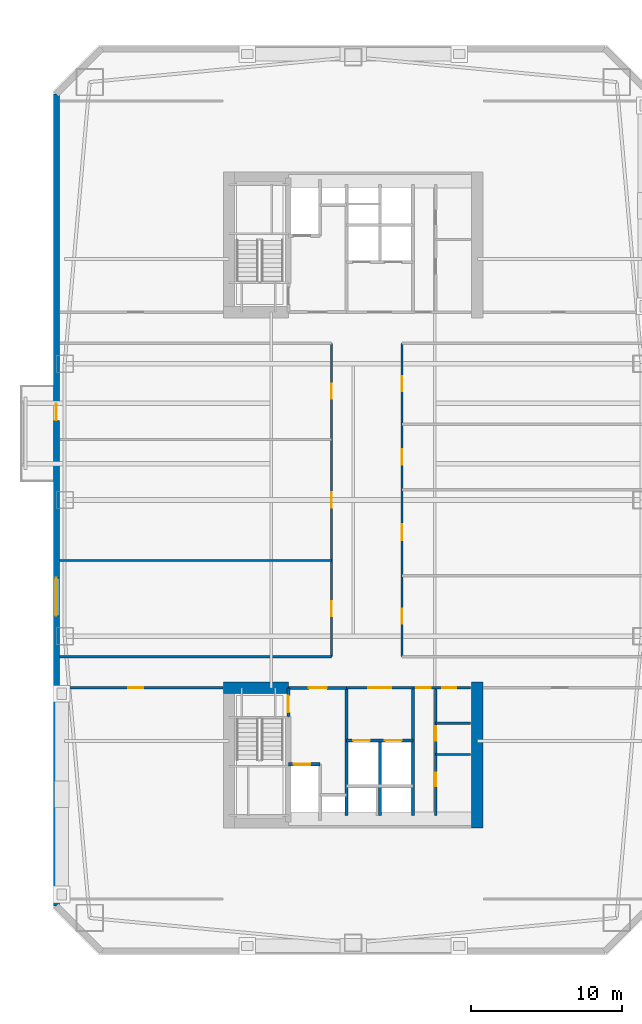
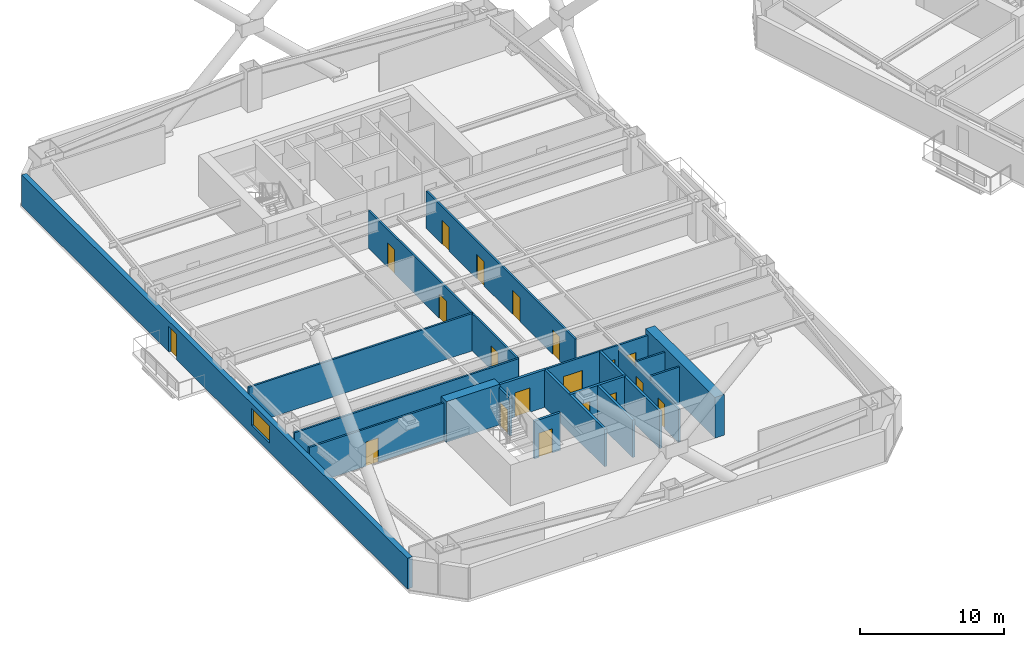
# One storey, part 4 of 15: 20 walls, 19 doors, 1 window, 20 openings.
"""IFC4 building model written with IfcOpenShell, lengths in metres."""

from ifc_helpers import new_model, si_unit, direction, frame, frame_2d, origin, place, context, subcontext, project, spatial, rectangle, extrude, material, layer, layer_set, type_object, element, fill, save


model = new_model("IFC4")

# Units and contexts
model_context = context("Model", 3, precision=1e-05, world=origin(), true_north=direction((0.0, 1.0)))
body_context = subcontext(model_context, "Body", "Model", "MODEL_VIEW")
ifc_project = project(units=[si_unit("LENGTHUNIT", "METRE"), si_unit("AREAUNIT", "SQUARE_METRE"), si_unit("VOLUMEUNIT", "CUBIC_METRE"), si_unit("PLANEANGLEUNIT", "RADIAN"), si_unit("MASSUNIT", "GRAM", prefix="KILO")], contexts=[model_context])

# Site, building, storey
site_placement = place(None, origin())
site = spatial("IfcSite", under=ifc_project, at=site_placement, CompositionType="ELEMENT")
building_placement = place(site_placement, origin())
building = spatial("IfcBuilding", under=site, at=building_placement, Name="Qiaolan Cultural Towers", CompositionType="ELEMENT")
storey_placement = place(building_placement, frame((0.0, 0.0, 71.300048828125)))
storey = spatial("IfcBuildingStorey", under=building, at=storey_placement, Name="L17", CompositionType="ELEMENT", Elevation=71.300048828125)

# Walls
ifc_material_1 = material(Name="Concrete C60", Category="concrete")
ifc_layer_1 = layer(ifc_material_1, 0.75)
ifc_layer_set_1 = layer_set([ifc_layer_1], Name="Concrete C60")
wall_type_1 = type_object("IfcWallType", Name="WL-CORE-750", PredefinedType="SHEAR", material=ifc_layer_set_1)
wall_1_placement = place(storey_placement, frame((38.199951171875, 21.97509765625, 0.0), z_axis=(0.0, 0.0, 1.0), x_axis=(0.0, -1.0, 0.0)))
element("IfcWall", 1, at=wall_1_placement, inside=storey, type_object=wall_type_1, Name="L17 T1-CS East Core Shear Wall", PredefinedType="SHEAR", context=body_context, shape_type="SweptSolid", body=[
    extrude(rectangle(XDim=9.630126953125, YDim=0.75, at=frame_2d((4.81494140625, 0.0))), origin(), (0.0, 0.0, 1.0), 3.449951171875),
])
wall_2_placement = place(storey_placement, frame((21.425048828125, 21.60009765625, 0.0), z_axis=(0.0, 0.0, 1.0), x_axis=(1.0, 0.0, 0.0)))
element("IfcWall", 2, at=wall_2_placement, inside=storey, type_object=wall_type_1, Name="L17 T1-CS Stair Front Shear Wall", PredefinedType="SHEAR", context=body_context, shape_type="SweptSolid", body=[
    extrude(rectangle(XDim=4.294921875, YDim=0.75, at=frame_2d((2.1474609375, 0.0))), origin(), (0.0, 0.0, 1.0), 3.449951171875),
])

# Wall, openings, door, window
ifc_material_2 = material(Name="Precast Concrete C50 Honed Stone Pier", Category="masonry")
ifc_layer_2 = layer(ifc_material_2, 0.39990234375)
ifc_layer_set_2 = layer_set([ifc_layer_2], Name="Precast Concrete C50 Honed Stone Pier")
wall_type_2 = type_object("IfcWallType", Name="WL-EXT-PIER-400", PredefinedType="SOLIDWALL", material=ifc_layer_set_2)
wall_3_placement = place(storey_placement, frame((10.39990234375, 7.199951171875, 0.0), z_axis=(0.0, 0.0, 1.0), x_axis=(0.0, 1.0, 0.0)))
wall_3 = element("IfcWall", 3, at=wall_3_placement, inside=storey, type_object=wall_type_2, Name="L17 West Tower Precast Pier Facade Wall F1", PredefinedType="SOLIDWALL", context=body_context, shape_type="SweptSolid", body=[
    extrude(rectangle(XDim=53.60009765625, YDim=0.39990234375, at=frame_2d((26.800048828125, 0.0))), origin(), (0.0, 0.0, 1.0), 2.60986328125),
])
opening_1_placement = place(wall_3_placement, frame((19.14990234375, 0.0, 0.75)))
opening_1 = element("IfcOpeningElement", 4, at=opening_1_placement, cuts=wall_3, Name="Opening W-01", PredefinedType="OPENING", context=body_context, shape_type="SweptSolid", body=[
    extrude(rectangle(XDim=2.5, YDim=1.4599609375, at=frame_2d((1.25, 0.72998046875))), frame((0.0, 0.2099609375, 0.0), z_axis=(0.0, -1.0, 0.0), x_axis=(1.0, 0.0, 0.0)), (0.0, 0.0, 1.0), 0.419921875),
])
opening_2_placement = place(wall_3_placement, frame((32.050048828125, 0.0, 0.0)))
opening_2 = element("IfcOpeningElement", 5, at=opening_2_placement, cuts=wall_3, Name="Opening BD-01", PredefinedType="OPENING", context=body_context, shape_type="SweptSolid", body=[
    extrude(rectangle(XDim=1.10009765625, YDim=2.14990234375, at=frame_2d((0.550048828125, 1.074951171875))), frame((0.0, 0.2099609375, 0.0), z_axis=(0.0, -1.0, 0.0), x_axis=(1.0, 0.0, 0.0)), (0.0, 0.0, 1.0), 0.419921875),
])
ifc_material_3 = material(Name="Thermally Broken Aluminium Glazed Terrace Door", Category="aluminium")
door_type_1 = type_object("IfcDoorType", Name="DR-BAL-1100", OperationType="NOTDEFINED", PredefinedType="DOOR", material=ifc_material_3)
door_1_placement = place(opening_2_placement, origin())
door_1 = element("IfcDoor", 6, at=door_1_placement, inside=storey, type_object=door_type_1, Name="L17 T1 West Tree Balcony Door", OperationType="SINGLE_SWING_LEFT", OverallHeight=2.14990234375, OverallWidth=1.10009765625, PredefinedType="DOOR", context=body_context, shape_type="SweptSolid", body=[
    extrude(rectangle(XDim=1.10009765625, YDim=2.14990234375, at=frame_2d((0.550048828125, 1.074951171875))), frame((0.0, 0.02490234375, 0.0), z_axis=(0.0, -1.0, 0.0), x_axis=(1.0, 0.0, 0.0)), (0.0, 0.0, 1.0), 0.050048828125),
])
fill(opening_2, door_1)
ifc_material_4 = material(Name="Thermally Broken Aluminium Triple Low-E Glazing", Category="aluminium")
window_type = type_object("IfcWindowType", Name="WN-CHIC-2500", PartitioningType="SINGLE_PANEL", PredefinedType="WINDOW", material=ifc_material_4)
window_placement = place(opening_1_placement, origin())
window = element("IfcWindow", 7, at=window_placement, inside=storey, type_object=window_type, Name="L17 T1 W Chicago Bay Window 1", OverallHeight=1.4599609375, OverallWidth=2.5, PartitioningType="TRIPLE_PANEL_VERTICAL", PredefinedType="WINDOW", context=body_context, shape_type="SweptSolid", body=[
    extrude(rectangle(XDim=2.5, YDim=1.4599609375, at=frame_2d((1.25, 0.72998046875))), frame((0.0, 0.030029296875, 0.0), z_axis=(0.0, -1.0, 0.0), x_axis=(1.0, 0.0, 0.0)), (0.0, 0.0, 1.0), 0.06005859375),
])
fill(opening_1, window)

# Wall, opening, door
ifc_material_5 = material(Name="Concrete C35 Fire Wall", Category="concrete")
ifc_layer_3 = layer(ifc_material_5, 0.199951171875)
ifc_layer_set_3 = layer_set([ifc_layer_3], Name="Concrete C35 Fire Wall")
wall_type_3 = type_object("IfcWallType", Name="WL-FIRE-200", PredefinedType="PARTITIONING", material=ifc_layer_set_3)
wall_4_placement = place(storey_placement, frame((25.719970703125, 21.60009765625, 0.0), z_axis=(0.0, 0.0, 1.0), x_axis=(0.0, -1.0, 0.0)))
wall_4 = element("IfcWall", 8, at=wall_4_placement, inside=storey, type_object=wall_type_3, Name="L17 T1-CS Smokeproof Stair Entry Wall", PredefinedType="PARTITIONING", context=body_context, shape_type="SweptSolid", body=[
    extrude(rectangle(XDim=1.900146484375, YDim=0.199951171875, at=frame_2d((0.9501953125, 0.0))), origin(), (0.0, 0.0, 1.0), 3.175048828125),
])
opening_3_placement = place(wall_4_placement, frame((0.52001953125, 0.0, 0.0)))
opening_3 = element("IfcOpeningElement", 9, at=opening_3_placement, cuts=wall_4, Name="Opening FD-04", PredefinedType="OPENING", context=body_context, shape_type="SweptSolid", body=[
    extrude(rectangle(XDim=1.10009765625, YDim=2.050048828125, at=frame_2d((0.550048828125, 1.02490234375))), frame((0.0, 0.10986328125, 0.0), z_axis=(0.0, -1.0, 0.0), x_axis=(1.0, 0.0, 0.0)), (0.0, 0.0, 1.0), 0.219970703125),
])
ifc_material_6 = material(Name="Galvanized Steel Command Fire Door", Category="steel")
door_type_2 = type_object("IfcDoorType", Name="DR-FD90-1100", OperationType="NOTDEFINED", PredefinedType="DOOR", material=ifc_material_6)
door_2_placement = place(opening_3_placement, origin())
door_2 = element("IfcDoor", 10, at=door_2_placement, inside=storey, type_object=door_type_2, Name="L17 ST-W1 Smokeproof Stair Fire Door", OperationType="SINGLE_SWING_LEFT", OverallHeight=2.050048828125, OverallWidth=1.10009765625, PredefinedType="DOOR", context=body_context, shape_type="SweptSolid", body=[
    extrude(rectangle(XDim=1.10009765625, YDim=2.050048828125, at=frame_2d((0.550048828125, 1.02490234375))), frame((0.0, 0.02490234375, 0.0), z_axis=(0.0, -1.0, 0.0), x_axis=(1.0, 0.0, 0.0)), (0.0, 0.0, 1.0), 0.050048828125),
])
fill(opening_3, door_2)

# Wall
wall_5_placement = place(storey_placement, frame((29.550048828125, 21.60009765625, 0.0), z_axis=(0.0, 0.0, 1.0), x_axis=(0.0, -1.0, 0.0)))
element("IfcWall", 11, at=wall_5_placement, inside=storey, type_object=wall_type_3, Name="L17 T1-CS Firefighting Zone Wall", PredefinedType="PARTITIONING", context=body_context, shape_type="SweptSolid", body=[
    extrude(rectangle(XDim=8.43017578125, YDim=0.199951171875, at=frame_2d((4.215087890625, 0.0))), origin(), (0.0, 0.0, 1.0), 3.175048828125),
])

# Wall, opening, door
wall_6_placement = place(storey_placement, frame((25.719970703125, 21.60009765625, 0.0), z_axis=(0.0, 0.0, 1.0), x_axis=(1.0, 0.0, 0.0)))
wall_6 = element("IfcWall", 12, at=wall_6_placement, inside=storey, type_object=wall_type_3, Name="L17 T1-CS Firefighting Lobby Front Wall", PredefinedType="PARTITIONING", context=body_context, shape_type="SweptSolid", body=[
    extrude(rectangle(XDim=3.830078125, YDim=0.199951171875, at=frame_2d((1.9150390625, 0.0))), origin(), (0.0, 0.0, 1.0), 3.175048828125),
])
opening_4_placement = place(wall_6_placement, frame((1.35009765625, 0.0, 0.0)))
opening_4 = element("IfcOpeningElement", 13, at=opening_4_placement, cuts=wall_6, Name="Opening FD-03", PredefinedType="OPENING", context=body_context, shape_type="SweptSolid", body=[
    extrude(rectangle(XDim=1.199951171875, YDim=2.050048828125, at=frame_2d((0.60009765625, 1.02490234375))), frame((0.0, 0.10986328125, 0.0), z_axis=(0.0, -1.0, 0.0), x_axis=(1.0, 0.0, 0.0)), (0.0, 0.0, 1.0), 0.219970703125),
])
ifc_material_7 = material(Name="Galvanized Steel Smokeproof Lobby Fire Door", Category="steel")
door_type_3 = type_object("IfcDoorType", Name="DR-FD90-1200", OperationType="NOTDEFINED", PredefinedType="DOOR", material=ifc_material_7)
door_3_placement = place(opening_4_placement, origin())
door_3 = element("IfcDoor", 14, at=door_3_placement, inside=storey, type_object=door_type_3, Name="L17 FFL-W1 Firefighting Lobby Fire Door", OperationType="SINGLE_SWING_LEFT", OverallHeight=2.050048828125, OverallWidth=1.199951171875, PredefinedType="DOOR", context=body_context, shape_type="SweptSolid", body=[
    extrude(rectangle(XDim=1.199951171875, YDim=2.050048828125, at=frame_2d((0.60009765625, 1.02490234375))), frame((0.0, 0.02490234375, 0.0), z_axis=(0.0, -1.0, 0.0), x_axis=(1.0, 0.0, 0.0)), (0.0, 0.0, 1.0), 0.050048828125),
])
fill(opening_4, door_3)

wall_7_placement = place(storey_placement, frame((25.719970703125, 16.550048828125, 0.0), z_axis=(0.0, 0.0, 1.0), x_axis=(1.0, 0.0, 0.0)))
wall_7 = element("IfcWall", 15, at=wall_7_placement, inside=storey, type_object=wall_type_3, Name="L17 T1-CS Firefighting Shaft Front Wall", PredefinedType="PARTITIONING", context=body_context, shape_type="SweptSolid", body=[
    extrude(rectangle(XDim=2.10009765625, YDim=0.199951171875, at=frame_2d((1.050048828125, 0.0))), origin(), (0.0, 0.0, 1.0), 3.175048828125),
])
opening_5_placement = place(wall_7_placement, frame((0.35009765625, 0.0, 0.0)))
opening_5 = element("IfcOpeningElement", 16, at=opening_5_placement, cuts=wall_7, Name="Opening LD-01", PredefinedType="OPENING", context=body_context, shape_type="SweptSolid", body=[
    extrude(rectangle(XDim=1.10009765625, YDim=2.050048828125, at=frame_2d((0.550048828125, 1.02490234375))), frame((0.0, 0.10986328125, 0.0), z_axis=(0.0, -1.0, 0.0), x_axis=(1.0, 0.0, 0.0)), (0.0, 0.0, 1.0), 0.219970703125),
])
ifc_material_8 = material(Name="Brushed Stainless Steel S30408 Centre-Parting Lift Landing Door", Category="steel")
door_type_4 = type_object("IfcDoorType", Name="DR-LIFT-1100", OperationType="NOTDEFINED", PredefinedType="DOOR", material=ifc_material_8)
door_4_placement = place(opening_5_placement, origin())
door_4 = element("IfcDoor", 17, at=door_4_placement, inside=storey, type_object=door_type_4, Name="L17 FFL-W1 Firefighting Lift Landing Door", OperationType="DOUBLE_DOOR_SLIDING", OverallHeight=2.050048828125, OverallWidth=1.10009765625, PredefinedType="DOOR", context=body_context, shape_type="SweptSolid", body=[
    extrude(rectangle(XDim=1.10009765625, YDim=2.050048828125, at=frame_2d((0.550048828125, 1.02490234375))), frame((0.0, 0.02490234375, 0.0), z_axis=(0.0, -1.0, 0.0), x_axis=(1.0, 0.0, 0.0)), (0.0, 0.0, 1.0), 0.050048828125),
])
fill(opening_5, door_4)

# Wall
wall_8_placement = place(storey_placement, frame((33.949951171875, 21.60009765625, 0.0), z_axis=(0.0, 0.0, 1.0), x_axis=(0.0, -1.0, 0.0)))
element("IfcWall", 18, at=wall_8_placement, inside=storey, type_object=wall_type_3, Name="L17 T1-CS Lift Core East Wall", PredefinedType="PARTITIONING", context=body_context, shape_type="SweptSolid", body=[
    extrude(rectangle(XDim=8.43017578125, YDim=0.199951171875, at=frame_2d((4.215087890625, 0.0))), origin(), (0.0, 0.0, 1.0), 3.175048828125),
])

# Wall, openings, doors
wall_9_placement = place(storey_placement, frame((29.550048828125, 18.1201171875, 0.0), z_axis=(0.0, 0.0, 1.0), x_axis=(1.0, 0.0, 0.0)))
wall_9 = element("IfcWall", 19, at=wall_9_placement, inside=storey, type_object=wall_type_3, Name="L17 T1-CS Passenger Lift Shaft Front Wall", PredefinedType="PARTITIONING", context=body_context, shape_type="SweptSolid", body=[
    extrude(rectangle(XDim=4.39990234375, YDim=0.199951171875, at=frame_2d((2.199951171875, 0.0))), origin(), (0.0, 0.0, 1.0), 3.175048828125),
])
opening_6_placement = place(wall_9_placement, frame((0.449951171875, 0.0, 0.0)))
opening_6 = element("IfcOpeningElement", 20, at=opening_6_placement, cuts=wall_9, Name="Opening LD-01", PredefinedType="OPENING", context=body_context, shape_type="SweptSolid", body=[
    extrude(rectangle(XDim=1.10009765625, YDim=2.050048828125, at=frame_2d((0.550048828125, 1.02490234375))), frame((0.0, 0.10986328125, 0.0), z_axis=(0.0, -1.0, 0.0), x_axis=(1.0, 0.0, 0.0)), (0.0, 0.0, 1.0), 0.219970703125),
])
opening_7_placement = place(wall_9_placement, frame((2.550048828125, 0.0, 0.0)))
opening_7 = element("IfcOpeningElement", 21, at=opening_7_placement, cuts=wall_9, Name="Opening LD-01", PredefinedType="OPENING", context=body_context, shape_type="SweptSolid", body=[
    extrude(rectangle(XDim=1.10009765625, YDim=2.050048828125, at=frame_2d((0.550048828125, 1.02490234375))), frame((0.0, 0.10986328125, 0.0), z_axis=(0.0, -1.0, 0.0), x_axis=(1.0, 0.0, 0.0)), (0.0, 0.0, 1.0), 0.219970703125),
])
door_5_placement = place(opening_6_placement, origin())
door_5 = element("IfcDoor", 22, at=door_5_placement, inside=storey, type_object=door_type_4, Name="L17 Passenger Lift 1 Landing Door", OperationType="DOUBLE_DOOR_SLIDING", OverallHeight=2.050048828125, OverallWidth=1.10009765625, PredefinedType="DOOR", context=body_context, shape_type="SweptSolid", body=[
    extrude(rectangle(XDim=1.10009765625, YDim=2.050048828125, at=frame_2d((0.550048828125, 1.02490234375))), frame((0.0, 0.02490234375, 0.0), z_axis=(0.0, -1.0, 0.0), x_axis=(1.0, 0.0, 0.0)), (0.0, 0.0, 1.0), 0.050048828125),
])
fill(opening_6, door_5)
door_6_placement = place(opening_7_placement, origin())
door_6 = element("IfcDoor", 23, at=door_6_placement, inside=storey, type_object=door_type_4, Name="L17 Passenger Lift 2 Landing Door", OperationType="DOUBLE_DOOR_SLIDING", OverallHeight=2.050048828125, OverallWidth=1.10009765625, PredefinedType="DOOR", context=body_context, shape_type="SweptSolid", body=[
    extrude(rectangle(XDim=1.10009765625, YDim=2.050048828125, at=frame_2d((0.550048828125, 1.02490234375))), frame((0.0, 0.02490234375, 0.0), z_axis=(0.0, -1.0, 0.0), x_axis=(1.0, 0.0, 0.0)), (0.0, 0.0, 1.0), 0.050048828125),
])
fill(opening_7, door_6)

# Wall
wall_10_placement = place(storey_placement, frame((31.780029296875, 18.1201171875, 0.0), z_axis=(0.0, 0.0, 1.0), x_axis=(0.0, -1.0, 0.0)))
element("IfcWall", 24, at=wall_10_placement, inside=storey, type_object=wall_type_3, Name="L17 T1-CS Lift Shaft Divider Wall", PredefinedType="PARTITIONING", context=body_context, shape_type="SweptSolid", body=[
    extrude(rectangle(XDim=4.9501953125, YDim=0.199951171875, at=frame_2d((2.47509765625, 0.0))), origin(), (0.0, 0.0, 1.0), 3.175048828125),
])

# Wall, opening, door
ifc_material_9 = material(Name="Autoclaved Aerated Concrete Block B06", Category="concrete")
ifc_layer_4 = layer(ifc_material_9, 0.14990234375)
ifc_layer_set_4 = layer_set([ifc_layer_4], Name="Autoclaved Aerated Concrete Block B06")
wall_type_4 = type_object("IfcWallType", Name="WL-PART-150", PredefinedType="PARTITIONING", material=ifc_layer_set_4)
wall_11_placement = place(storey_placement, frame((29.550048828125, 21.60009765625, 0.0), z_axis=(0.0, 0.0, 1.0), x_axis=(1.0, 0.0, 0.0)))
wall_11 = element("IfcWall", 25, at=wall_11_placement, inside=storey, type_object=wall_type_4, Name="L17 T1-CS Passenger Lift Lobby Front Wall", PredefinedType="PARTITIONING", context=body_context, shape_type="SweptSolid", body=[
    extrude(rectangle(XDim=4.39990234375, YDim=0.14990234375, at=frame_2d((2.199951171875, 0.0))), origin(), (0.0, 0.0, 1.0), 3.175048828125),
])
opening_8_placement = place(wall_11_placement, frame((1.449951171875, 0.0, 0.0)))
opening_8 = element("IfcOpeningElement", 26, at=opening_8_placement, cuts=wall_11, Name="Opening FD-05", PredefinedType="OPENING", context=body_context, shape_type="SweptSolid", body=[
    extrude(rectangle(XDim=1.5, YDim=2.050048828125, at=frame_2d((0.75, 1.02490234375))), frame((0.0, 0.0849609375, 0.0), z_axis=(0.0, -1.0, 0.0), x_axis=(1.0, 0.0, 0.0)), (0.0, 0.0, 1.0), 0.169921875),
])
ifc_material_10 = material(Name="Painted Steel Lift Lobby Fire Door", Category="steel")
door_type_5 = type_object("IfcDoorType", Name="DR-FD60-1500", OperationType="NOTDEFINED", PredefinedType="DOOR", material=ifc_material_10)
door_7_placement = place(opening_8_placement, origin())
door_7 = element("IfcDoor", 27, at=door_7_placement, inside=storey, type_object=door_type_5, Name="L17 Passenger Lift Lobby Entrance", OperationType="SINGLE_SWING_LEFT", OverallHeight=2.050048828125, OverallWidth=1.5, PredefinedType="DOOR", context=body_context, shape_type="SweptSolid", body=[
    extrude(rectangle(XDim=1.5, YDim=2.050048828125, at=frame_2d((0.75, 1.02490234375))), frame((0.0, 0.02490234375, 0.0), z_axis=(0.0, -1.0, 0.0), x_axis=(1.0, 0.0, 0.0)), (0.0, 0.0, 1.0), 0.050048828125),
])
fill(opening_8, door_7)

# Wall, openings, doors
wall_12_placement = place(storey_placement, frame((33.949951171875, 21.60009765625, 0.0), z_axis=(0.0, 0.0, 1.0), x_axis=(1.0, 0.0, 0.0)))
wall_12 = element("IfcWall", 28, at=wall_12_placement, inside=storey, type_object=wall_type_4, Name="L17 T1-CS Sanitary Core Front Wall", PredefinedType="PARTITIONING", context=body_context, shape_type="SweptSolid", body=[
    extrude(rectangle(XDim=3.800048828125, YDim=0.14990234375, at=frame_2d((1.89990234375, 0.0))), origin(), (0.0, 0.0, 1.0), 3.175048828125),
])
opening_9_placement = place(wall_12_placement, frame((0.219970703125, 0.0, 0.0)))
opening_9 = element("IfcOpeningElement", 29, at=opening_9_placement, cuts=wall_12, Name="Opening ID-05", PredefinedType="OPENING", context=body_context, shape_type="SweptSolid", body=[
    extrude(rectangle(XDim=0.949951171875, YDim=2.050048828125, at=frame_2d((0.47509765625, 1.02490234375))), frame((0.0, 0.0849609375, 0.0), z_axis=(0.0, -1.0, 0.0), x_axis=(1.0, 0.0, 0.0)), (0.0, 0.0, 1.0), 0.169921875),
])
opening_10_placement = place(wall_12_placement, frame((1.949951171875, 0.0, 0.0)))
opening_10 = element("IfcOpeningElement", 30, at=opening_10_placement, cuts=wall_12, Name="Opening ID-06", PredefinedType="OPENING", context=body_context, shape_type="SweptSolid", body=[
    extrude(rectangle(XDim=0.89990234375, YDim=2.050048828125, at=frame_2d((0.449951171875, 1.02490234375))), frame((0.0, 0.0849609375, 0.0), z_axis=(0.0, -1.0, 0.0), x_axis=(1.0, 0.0, 0.0)), (0.0, 0.0, 1.0), 0.169921875),
])
ifc_material_11 = material(Name="Fire-Rated Laminate Core Service Door", Category="timber")
door_type_6 = type_object("IfcDoorType", Name="DR-INT-900", OperationType="NOTDEFINED", PredefinedType="DOOR", material=ifc_material_11)
door_8_placement = place(opening_10_placement, origin())
door_8 = element("IfcDoor", 31, at=door_8_placement, inside=storey, type_object=door_type_6, Name="L17 Core Tea Pantry Door", OperationType="SINGLE_SWING_RIGHT", OverallHeight=2.050048828125, OverallWidth=0.89990234375, PredefinedType="DOOR", context=body_context, shape_type="SweptSolid", body=[
    extrude(rectangle(XDim=0.89990234375, YDim=2.050048828125, at=frame_2d((0.449951171875, 1.02490234375))), frame((0.0, 0.02490234375, 0.0), z_axis=(0.0, -1.0, 0.0), x_axis=(1.0, 0.0, 0.0)), (0.0, 0.0, 1.0), 0.050048828125),
])
fill(opening_10, door_8)
ifc_material_12 = material(Name="Fire-Rated Laminate Accessible Core Door", Category="timber")
door_type_7 = type_object("IfcDoorType", Name="DR-INT-950", OperationType="NOTDEFINED", PredefinedType="DOOR", material=ifc_material_12)
door_9_placement = place(opening_9_placement, origin())
door_9 = element("IfcDoor", 32, at=door_9_placement, inside=storey, type_object=door_type_7, Name="L17 Sanitary Passage Door", OperationType="SINGLE_SWING_LEFT", OverallHeight=2.050048828125, OverallWidth=0.949951171875, PredefinedType="DOOR", context=body_context, shape_type="SweptSolid", body=[
    extrude(rectangle(XDim=0.949951171875, YDim=2.050048828125, at=frame_2d((0.47509765625, 1.02490234375))), frame((0.0, 0.02490234375, 0.0), z_axis=(0.0, -1.0, 0.0), x_axis=(1.0, 0.0, 0.0)), (0.0, 0.0, 1.0), 0.050048828125),
])
fill(opening_9, door_9)

wall_13_placement = place(storey_placement, frame((35.449951171875, 21.60009765625, 0.0), z_axis=(0.0, 0.0, 1.0), x_axis=(0.0, -1.0, 0.0)))
wall_13 = element("IfcWall", 33, at=wall_13_placement, inside=storey, type_object=wall_type_4, Name="L17 T1-CS Sanitary Corridor Wall", PredefinedType="PARTITIONING", context=body_context, shape_type="SweptSolid", body=[
    extrude(rectangle(XDim=8.43017578125, YDim=0.14990234375, at=frame_2d((4.215087890625, 0.0))), origin(), (0.0, 0.0, 1.0), 2.81494140625),
])
opening_11_placement = place(wall_13_placement, frame((2.550048828125, 0.0, 0.0)))
opening_11 = element("IfcOpeningElement", 34, at=opening_11_placement, cuts=wall_13, Name="Opening ID-05", PredefinedType="OPENING", context=body_context, shape_type="SweptSolid", body=[
    extrude(rectangle(XDim=0.949951171875, YDim=2.050048828125, at=frame_2d((0.47509765625, 1.02490234375))), frame((0.0, 0.0849609375, 0.0), z_axis=(0.0, -1.0, 0.0), x_axis=(1.0, 0.0, 0.0)), (0.0, 0.0, 1.0), 0.169921875),
])
opening_12_placement = place(wall_13_placement, frame((5.60009765625, 0.0, 0.0)))
opening_12 = element("IfcOpeningElement", 35, at=opening_12_placement, cuts=wall_13, Name="Opening ID-06", PredefinedType="OPENING", context=body_context, shape_type="SweptSolid", body=[
    extrude(rectangle(XDim=0.89990234375, YDim=2.050048828125, at=frame_2d((0.449951171875, 1.02490234375))), frame((0.0, 0.0849609375, 0.0), z_axis=(0.0, -1.0, 0.0), x_axis=(1.0, 0.0, 0.0)), (0.0, 0.0, 1.0), 0.169921875),
])
door_10_placement = place(opening_12_placement, origin())
door_10 = element("IfcDoor", 36, at=door_10_placement, inside=storey, type_object=door_type_6, Name="L17 Staff Restroom Door", OperationType="SINGLE_SWING_RIGHT", OverallHeight=2.050048828125, OverallWidth=0.89990234375, PredefinedType="DOOR", context=body_context, shape_type="SweptSolid", body=[
    extrude(rectangle(XDim=0.89990234375, YDim=2.050048828125, at=frame_2d((0.449951171875, 1.02490234375))), frame((0.0, 0.02490234375, 0.0), z_axis=(0.0, -1.0, 0.0), x_axis=(1.0, 0.0, 0.0)), (0.0, 0.0, 1.0), 0.050048828125),
])
fill(opening_12, door_10)
door_11_placement = place(opening_11_placement, origin())
door_11 = element("IfcDoor", 37, at=door_11_placement, inside=storey, type_object=door_type_7, Name="L17 Accessible Washroom Door", OperationType="SINGLE_SWING_LEFT", OverallHeight=2.050048828125, OverallWidth=0.949951171875, PredefinedType="DOOR", context=body_context, shape_type="SweptSolid", body=[
    extrude(rectangle(XDim=0.949951171875, YDim=2.050048828125, at=frame_2d((0.47509765625, 1.02490234375))), frame((0.0, 0.02490234375, 0.0), z_axis=(0.0, -1.0, 0.0), x_axis=(1.0, 0.0, 0.0)), (0.0, 0.0, 1.0), 0.050048828125),
])
fill(opening_11, door_11)

# Walls
for number, where, z_axis, x_axis, name in (
    (38, (35.449951171875, 17.199951171875, 0.0), (0.0, 0.0, 1.0), (1.0, 0.0, 0.0), "L17 T1-CS Restroom Split Wall"),
    (39, (35.449951171875, 19.25, 0.0), (0.0, 0.0, 1.0), (1.0, 0.0, 0.0), "L17 T1-CS Core Pantry Wall"),
):
    element("IfcWall", number, at=place(storey_placement, frame(where, z_axis=z_axis, x_axis=x_axis)), inside=storey, type_object=wall_type_4, Name=name, PredefinedType="PARTITIONING", context=body_context, shape_type="SweptSolid", body=[
        extrude(rectangle(XDim=2.300048828125, YDim=0.14990234375, at=frame_2d((1.14990234375, 0.0))), origin(), (0.0, 0.0, 1.0), 3.175048828125),
    ])

# Wall, opening, door
wall_14_placement = place(storey_placement, frame((10.60009765625, 21.60009765625, 0.0), z_axis=(0.0, 0.0, 1.0), x_axis=(1.0, 0.0, 0.0)))
wall_14 = element("IfcWall", 40, at=wall_14_placement, inside=storey, type_object=wall_type_4, Name="L17 T1 Flank Front FLK-SW", PredefinedType="PARTITIONING", context=body_context, shape_type="SweptSolid", body=[
    extrude(rectangle(XDim=10.7998046875, YDim=0.14990234375, at=frame_2d((5.39990234375, 0.0))), origin(), (0.0, 0.0, 1.0), 3.175048828125),
])
opening_13_placement = place(wall_14_placement, frame((4.535888671875, 0.0, 0.0)))
opening_13 = element("IfcOpeningElement", 41, at=opening_13_placement, cuts=wall_14, Name="Opening ID-04", PredefinedType="OPENING", context=body_context, shape_type="SweptSolid", body=[
    extrude(rectangle(XDim=1.0, YDim=2.050048828125, at=frame_2d((0.5, 1.02490234375))), frame((0.0, 0.0849609375, 0.0), z_axis=(0.0, -1.0, 0.0), x_axis=(1.0, 0.0, 0.0)), (0.0, 0.0, 1.0), 0.169921875),
])
ifc_material_13 = material(Name="Oak Veneer Acoustic Office Door", Category="timber")
door_type_8 = type_object("IfcDoorType", Name="DR-INT-1000", OperationType="NOTDEFINED", PredefinedType="DOOR", material=ifc_material_13)
door_12_placement = place(opening_13_placement, origin())
door_12 = element("IfcDoor", 42, at=door_12_placement, inside=storey, type_object=door_type_8, Name="L17 T1 Corner Studio Door", OperationType="SINGLE_SWING_LEFT", OverallHeight=2.050048828125, OverallWidth=1.0, PredefinedType="DOOR", context=body_context, shape_type="SweptSolid", body=[
    extrude(rectangle(XDim=1.0, YDim=2.050048828125, at=frame_2d((0.5, 1.02490234375))), frame((0.0, 0.02490234375, 0.0), z_axis=(0.0, -1.0, 0.0), x_axis=(1.0, 0.0, 0.0)), (0.0, 0.0, 1.0), 0.050048828125),
])
fill(opening_13, door_12)

# Wall
wall_15_placement = place(storey_placement, frame((10.60009765625, 23.64990234375, 0.0), z_axis=(0.0, 0.0, 1.0), x_axis=(1.0, 0.0, 0.0)))
element("IfcWall", 43, at=wall_15_placement, inside=storey, type_object=wall_type_4, Name="L17 T1 South Corridor Left Wall", PredefinedType="PARTITIONING", context=body_context, shape_type="SweptSolid", body=[
    extrude(rectangle(XDim=17.974853515625, YDim=0.14990234375, at=frame_2d((8.9873046875, 0.0))), origin(), (0.0, 0.0, 1.0), 3.175048828125),
])

# Wall, openings, doors
wall_16_placement = place(storey_placement, frame((28.574951171875, 23.64990234375, 0.0), z_axis=(0.0, 0.0, 1.0), x_axis=(0.0, 1.0, 0.0)))
wall_16 = element("IfcWall", 44, at=wall_16_placement, inside=storey, type_object=wall_type_4, Name="L17 T1 West Spine Wall", PredefinedType="PARTITIONING", context=body_context, shape_type="SweptSolid", body=[
    extrude(rectangle(XDim=20.7001953125, YDim=0.14990234375, at=frame_2d((10.35009765625, 0.0))), origin(), (0.0, 0.0, 1.0), 3.175048828125),
])
opening_14_placement = place(wall_16_placement, frame((2.675048828125, 0.0, 0.0)))
opening_14 = element("IfcOpeningElement", 45, at=opening_14_placement, cuts=wall_16, Name="Opening ID-04", PredefinedType="OPENING", context=body_context, shape_type="SweptSolid", body=[
    extrude(rectangle(XDim=1.0, YDim=2.050048828125, at=frame_2d((0.5, 1.02490234375))), frame((0.0, 0.0849609375, 0.0), z_axis=(0.0, -1.0, 0.0), x_axis=(1.0, 0.0, 0.0)), (0.0, 0.0, 1.0), 0.169921875),
])
opening_15_placement = place(wall_16_placement, frame((9.85009765625, 0.0, 0.0)))
opening_15 = element("IfcOpeningElement", 46, at=opening_15_placement, cuts=wall_16, Name="Opening ID-04", PredefinedType="OPENING", context=body_context, shape_type="SweptSolid", body=[
    extrude(rectangle(XDim=1.0, YDim=2.050048828125, at=frame_2d((0.5, 1.02490234375))), frame((0.0, 0.0849609375, 0.0), z_axis=(0.0, -1.0, 0.0), x_axis=(1.0, 0.0, 0.0)), (0.0, 0.0, 1.0), 0.169921875),
])
opening_16_placement = place(wall_16_placement, frame((17.02490234375, 0.0, 0.0)))
opening_16 = element("IfcOpeningElement", 47, at=opening_16_placement, cuts=wall_16, Name="Opening ID-04", PredefinedType="OPENING", context=body_context, shape_type="SweptSolid", body=[
    extrude(rectangle(XDim=1.0, YDim=2.050048828125, at=frame_2d((0.5, 1.02490234375))), frame((0.0, 0.0849609375, 0.0), z_axis=(0.0, -1.0, 0.0), x_axis=(1.0, 0.0, 0.0)), (0.0, 0.0, 1.0), 0.169921875),
])
door_13_placement = place(opening_14_placement, origin())
door_13 = element("IfcDoor", 48, at=door_13_placement, inside=storey, type_object=door_type_8, Name="L17 T1 Staff Dining Kitchen Door", OperationType="SINGLE_SWING_LEFT", OverallHeight=2.050048828125, OverallWidth=1.0, PredefinedType="DOOR", context=body_context, shape_type="SweptSolid", body=[
    extrude(rectangle(XDim=1.0, YDim=2.050048828125, at=frame_2d((0.5, 1.02490234375))), frame((0.0, 0.02490234375, 0.0), z_axis=(0.0, -1.0, 0.0), x_axis=(1.0, 0.0, 0.0)), (0.0, 0.0, 1.0), 0.050048828125),
])
fill(opening_14, door_13)
door_14_placement = place(opening_15_placement, origin())
door_14 = element("IfcDoor", 49, at=door_14_placement, inside=storey, type_object=door_type_8, Name="L17 T1 Staff Dining Kitchen Door", OperationType="SINGLE_SWING_RIGHT", OverallHeight=2.050048828125, OverallWidth=1.0, PredefinedType="DOOR", context=body_context, shape_type="SweptSolid", body=[
    extrude(rectangle(XDim=1.0, YDim=2.050048828125, at=frame_2d((0.5, 1.02490234375))), frame((0.0, 0.02490234375, 0.0), z_axis=(0.0, -1.0, 0.0), x_axis=(1.0, 0.0, 0.0)), (0.0, 0.0, 1.0), 0.050048828125),
])
fill(opening_15, door_14)
door_15_placement = place(opening_16_placement, origin())
door_15 = element("IfcDoor", 50, at=door_15_placement, inside=storey, type_object=door_type_8, Name="L17 T1 Staff Dining Kitchen Door", OperationType="SINGLE_SWING_LEFT", OverallHeight=2.050048828125, OverallWidth=1.0, PredefinedType="DOOR", context=body_context, shape_type="SweptSolid", body=[
    extrude(rectangle(XDim=1.0, YDim=2.050048828125, at=frame_2d((0.5, 1.02490234375))), frame((0.0, 0.02490234375, 0.0), z_axis=(0.0, -1.0, 0.0), x_axis=(1.0, 0.0, 0.0)), (0.0, 0.0, 1.0), 0.050048828125),
])
fill(opening_16, door_15)

wall_17_placement = place(storey_placement, frame((33.22509765625, 23.64990234375, 0.0), z_axis=(0.0, 0.0, 1.0), x_axis=(0.0, 1.0, 0.0)))
wall_17 = element("IfcWall", 51, at=wall_17_placement, inside=storey, type_object=wall_type_4, Name="L17 T1 East Spine Wall", PredefinedType="PARTITIONING", context=body_context, shape_type="SweptSolid", body=[
    extrude(rectangle(XDim=20.7001953125, YDim=0.14990234375, at=frame_2d((10.35009765625, 0.0))), origin(), (0.0, 0.0, 1.0), 3.175048828125),
])
opening_17_placement = place(wall_17_placement, frame((2.175048828125, 0.0, 0.0)))
opening_17 = element("IfcOpeningElement", 52, at=opening_17_placement, cuts=wall_17, Name="Opening ID-04", PredefinedType="OPENING", context=body_context, shape_type="SweptSolid", body=[
    extrude(rectangle(XDim=1.0, YDim=2.050048828125, at=frame_2d((0.5, 1.02490234375))), frame((0.0, 0.0849609375, 0.0), z_axis=(0.0, -1.0, 0.0), x_axis=(1.0, 0.0, 0.0)), (0.0, 0.0, 1.0), 0.169921875),
])
opening_18_placement = place(wall_17_placement, frame((7.68994140625, 0.0, 0.0)))
opening_18 = element("IfcOpeningElement", 53, at=opening_18_placement, cuts=wall_17, Name="Opening ID-07", PredefinedType="OPENING", context=body_context, shape_type="SweptSolid", body=[
    extrude(rectangle(XDim=1.050048828125, YDim=2.050048828125, at=frame_2d((0.52490234375, 1.02490234375))), frame((0.0, 0.0849609375, 0.0), z_axis=(0.0, -1.0, 0.0), x_axis=(1.0, 0.0, 0.0)), (0.0, 0.0, 1.0), 0.169921875),
])
opening_19_placement = place(wall_17_placement, frame((12.68994140625, 0.0, 0.0)))
opening_19 = element("IfcOpeningElement", 54, at=opening_19_placement, cuts=wall_17, Name="Opening ID-04", PredefinedType="OPENING", context=body_context, shape_type="SweptSolid", body=[
    extrude(rectangle(XDim=1.0, YDim=2.050048828125, at=frame_2d((0.5, 1.02490234375))), frame((0.0, 0.0849609375, 0.0), z_axis=(0.0, -1.0, 0.0), x_axis=(1.0, 0.0, 0.0)), (0.0, 0.0, 1.0), 0.169921875),
])
opening_20_placement = place(wall_17_placement, frame((17.52490234375, 0.0, 0.0)))
opening_20 = element("IfcOpeningElement", 55, at=opening_20_placement, cuts=wall_17, Name="Opening ID-04", PredefinedType="OPENING", context=body_context, shape_type="SweptSolid", body=[
    extrude(rectangle(XDim=1.0, YDim=2.050048828125, at=frame_2d((0.5, 1.02490234375))), frame((0.0, 0.0849609375, 0.0), z_axis=(0.0, -1.0, 0.0), x_axis=(1.0, 0.0, 0.0)), (0.0, 0.0, 1.0), 0.169921875),
])
door_16_placement = place(opening_17_placement, origin())
door_16 = element("IfcDoor", 56, at=door_16_placement, inside=storey, type_object=door_type_8, Name="L17 T1 Seminar Room Door", OperationType="SINGLE_SWING_RIGHT", OverallHeight=2.050048828125, OverallWidth=1.0, PredefinedType="DOOR", context=body_context, shape_type="SweptSolid", body=[
    extrude(rectangle(XDim=1.0, YDim=2.050048828125, at=frame_2d((0.5, 1.02490234375))), frame((0.0, 0.02490234375, 0.0), z_axis=(0.0, -1.0, 0.0), x_axis=(1.0, 0.0, 0.0)), (0.0, 0.0, 1.0), 0.050048828125),
])
fill(opening_17, door_16)
door_17_placement = place(opening_19_placement, origin())
door_17 = element("IfcDoor", 57, at=door_17_placement, inside=storey, type_object=door_type_8, Name="L17 T1 First-Aid Wellness Room Door", OperationType="SINGLE_SWING_RIGHT", OverallHeight=2.050048828125, OverallWidth=1.0, PredefinedType="DOOR", context=body_context, shape_type="SweptSolid", body=[
    extrude(rectangle(XDim=1.0, YDim=2.050048828125, at=frame_2d((0.5, 1.02490234375))), frame((0.0, 0.02490234375, 0.0), z_axis=(0.0, -1.0, 0.0), x_axis=(1.0, 0.0, 0.0)), (0.0, 0.0, 1.0), 0.050048828125),
])
fill(opening_19, door_17)
door_18_placement = place(opening_20_placement, origin())
door_18 = element("IfcDoor", 58, at=door_18_placement, inside=storey, type_object=door_type_8, Name="L17 T1 Design Print Shop Door", OperationType="SINGLE_SWING_LEFT", OverallHeight=2.050048828125, OverallWidth=1.0, PredefinedType="DOOR", context=body_context, shape_type="SweptSolid", body=[
    extrude(rectangle(XDim=1.0, YDim=2.050048828125, at=frame_2d((0.5, 1.02490234375))), frame((0.0, 0.02490234375, 0.0), z_axis=(0.0, -1.0, 0.0), x_axis=(1.0, 0.0, 0.0)), (0.0, 0.0, 1.0), 0.050048828125),
])
fill(opening_20, door_18)
ifc_material_14 = material(Name="Oak Veneer Consultation Door", Category="timber")
door_type_9 = type_object("IfcDoorType", Name="DR-INT-1050", OperationType="NOTDEFINED", PredefinedType="DOOR", material=ifc_material_14)
door_19_placement = place(opening_18_placement, origin())
door_19 = element("IfcDoor", 59, at=door_19_placement, inside=storey, type_object=door_type_9, Name="L17 T1 Seminar Room Door", OperationType="SINGLE_SWING_LEFT", OverallHeight=2.050048828125, OverallWidth=1.050048828125, PredefinedType="DOOR", context=body_context, shape_type="SweptSolid", body=[
    extrude(rectangle(XDim=1.050048828125, YDim=2.050048828125, at=frame_2d((0.52490234375, 1.02490234375))), frame((0.0, 0.02490234375, 0.0), z_axis=(0.0, -1.0, 0.0), x_axis=(1.0, 0.0, 0.0)), (0.0, 0.0, 1.0), 0.050048828125),
])
fill(opening_18, door_19)

# Wall
wall_18_placement = place(storey_placement, frame((10.60009765625, 30.0, 0.0), z_axis=(0.0, 0.0, 1.0), x_axis=(1.0, 0.0, 0.0)))
element("IfcWall", 60, at=wall_18_placement, inside=storey, type_object=wall_type_4, Name="L17 T1 West Partition 1", PredefinedType="PARTITIONING", context=body_context, shape_type="SweptSolid", body=[
    extrude(rectangle(XDim=17.974853515625, YDim=0.14990234375, at=frame_2d((8.9873046875, 0.0))), origin(), (0.0, 0.0, 1.0), 3.175048828125),
])

save(model, "model.ifc")
